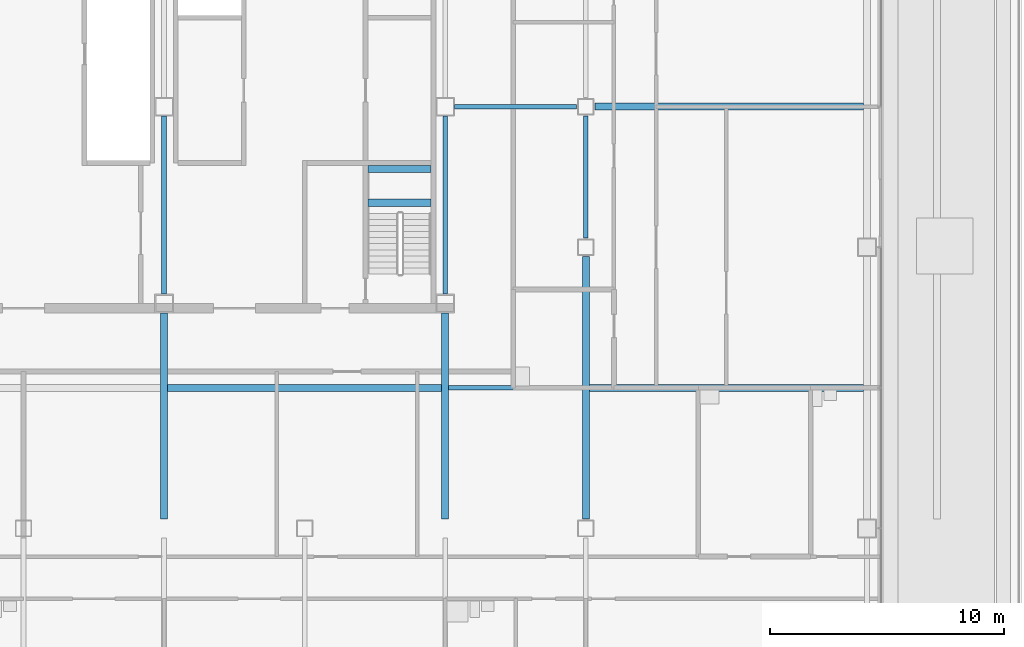
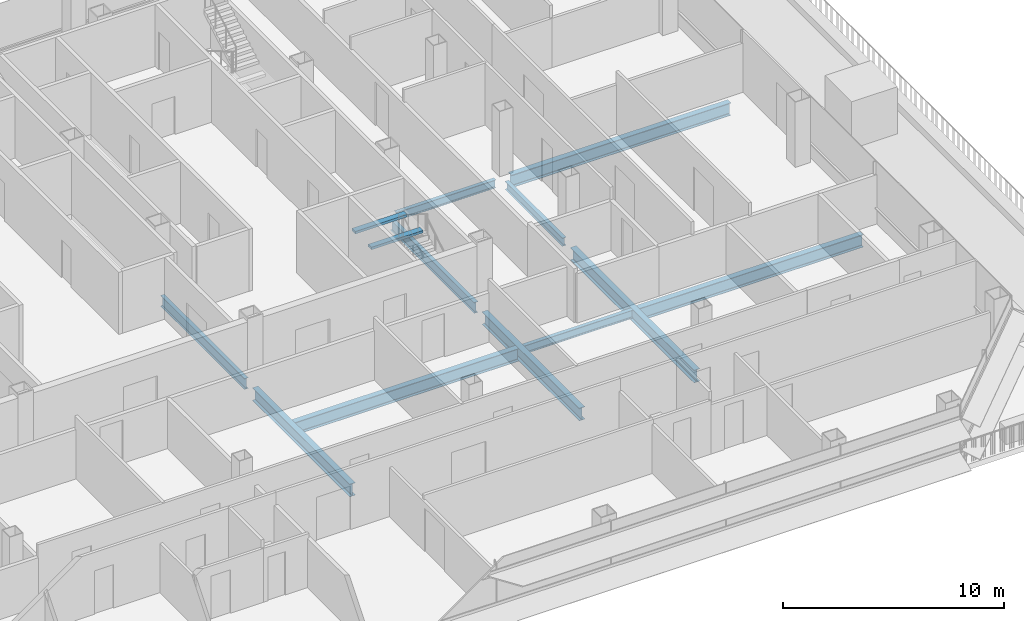
# One storey, part 9 of 28: 13 beams.
"""IFC4 building model written with IfcOpenShell, lengths in metres."""

from ifc_helpers import new_model, si_unit, direction, frame, origin, origin_2d, place, context, subcontext, project, spatial, rectangle, i_section, extrude, material, material_profile, profile_set, type_object, element, save


model = new_model("IFC4")

# Units and contexts
model_context = context("Model", 3, precision=1e-05, world=origin(), true_north=direction((0.0, 1.0)))
body_context = subcontext(model_context, "Body", "Model", "MODEL_VIEW")
ifc_project = project(units=[si_unit("LENGTHUNIT", "METRE"), si_unit("AREAUNIT", "SQUARE_METRE"), si_unit("VOLUMEUNIT", "CUBIC_METRE"), si_unit("PLANEANGLEUNIT", "RADIAN"), si_unit("MASSUNIT", "GRAM", prefix="KILO")], contexts=[model_context])

# Site, building, storey
site_placement = place(None, origin())
site = spatial("IfcSite", under=ifc_project, at=site_placement, CompositionType="ELEMENT")
building_placement = place(site_placement, origin())
building = spatial("IfcBuilding", under=site, at=building_placement, Name="Sorahane Residences", CompositionType="ELEMENT")
storey_placement = place(building_placement, frame((0.0, 0.0, 96.199951171875)))
storey = spatial("IfcBuildingStorey", under=building, at=storey_placement, Name="L20", CompositionType="ELEMENT", Elevation=96.199951171875)

# Beams
ifc_material_1 = material(Name="Concrete C40", Category="concrete")
ifc_material_profile_1 = material_profile(ifc_material_1, rectangle(XDim=0.300048828125, YDim=0.139892578125, at=origin_2d()), Name="300x140")
ifc_profile_set_1 = profile_set([ifc_material_profile_1], Name="Concrete C40")
beam_type_1 = type_object("IfcBeamType", Name="RC landing beam 300 x 140 Concrete C40", PredefinedType="BEAM", material=ifc_profile_set_1)
for number, where, z_axis, x_axis, name in (
    (1, (38.699951171875, 25.89990234375, 1.530029296875), (1.0, 0.0, 0.0), (0.0, 1.0, 0.0), "Landing beam"),
    (2, (38.699951171875, 27.35009765625, 1.530029296875), (1.0, 0.0, 0.0), (0.0, 1.0, 0.0), "Landing beam"),
):
    element("IfcBeam", number, at=place(storey_placement, frame(where, z_axis=z_axis, x_axis=x_axis)), inside=storey, type_object=beam_type_1, Name=name, PredefinedType="BEAM", context=body_context, shape_type="SweptSolid", body=[
        extrude(rectangle(XDim=0.300048828125, YDim=0.139892578125, at=origin_2d()), origin(), (0.0, 0.0, 1.0), 2.699951171875),
    ])
ifc_material_2 = material(Name="Steel Q355B", Category="steel")
ifc_material_profile_2 = material_profile(ifc_material_2, i_section(OverallWidth=0.199951171875, OverallDepth=0.449951171875, WebThickness=0.009033203125, FlangeThickness=0.013916015625, FilletRadius=0.02001953125, at=origin_2d()), Name="HN 450x200x9x14")
ifc_profile_set_2 = profile_set([ifc_material_profile_2], Name="Steel Q355B")
beam_type_2 = type_object("IfcBeamType", Name="Steel floor beam HN 450x200x9x14 Q355B", PredefinedType="BEAM", material=ifc_profile_set_2)
beam_1_placement = place(storey_placement, frame((48.0, 24.39990234375, -0.52490234375), z_axis=(0.0, 1.0, 0.0), x_axis=(-1.0, 0.0, 0.0)))
element("IfcBeam", 3, at=beam_1_placement, inside=storey, type_object=beam_type_2, Name="Beam L20 047", PredefinedType="BEAM", context=body_context, shape_type="SweptSolid", body=[
    extrude(i_section(OverallWidth=0.199951171875, OverallDepth=0.449951171875, WebThickness=0.009033203125, FlangeThickness=0.013916015625, FilletRadius=0.02001953125, at=origin_2d()), origin(), (0.0, 0.0, 1.0), 5.2001953125),
])
beam_2_placement = place(storey_placement, frame((42.14990234375, 18.0, -0.52490234375), z_axis=(1.0, 0.0, 0.0), x_axis=(0.0, 1.0, 0.0)))
element("IfcBeam", 4, at=beam_2_placement, inside=storey, type_object=beam_type_2, Name="Beam L20 062", PredefinedType="BEAM", context=body_context, shape_type="SweptSolid", body=[
    extrude(i_section(OverallWidth=0.199951171875, OverallDepth=0.449951171875, WebThickness=0.009033203125, FlangeThickness=0.013916015625, FilletRadius=0.02001953125, at=origin_2d()), origin(), (0.0, 0.0, 1.0), 5.7001953125),
])
beam_3_placement = place(storey_placement, frame((42.39990234375, 30.0, -0.52490234375), z_axis=(1.0, 0.0, 0.0), x_axis=(0.0, 1.0, 0.0)))
element("IfcBeam", 5, at=beam_3_placement, inside=storey, type_object=beam_type_2, Name="Beam L20 066", PredefinedType="BEAM", context=body_context, shape_type="SweptSolid", body=[
    extrude(i_section(OverallWidth=0.199951171875, OverallDepth=0.449951171875, WebThickness=0.009033203125, FlangeThickness=0.013916015625, FilletRadius=0.02001953125, at=origin_2d()), origin(), (0.0, 0.0, 1.0), 5.2001953125),
])
ifc_material_3 = material(Name="Steel Q355B", Category="steel")
ifc_material_profile_3 = material_profile(ifc_material_3, i_section(OverallWidth=0.199951171875, OverallDepth=0.60009765625, WebThickness=0.010986328125, FlangeThickness=0.01708984375, FilletRadius=0.02392578125, at=origin_2d()), Name="HN 600x200x11x17")
ifc_profile_set_3 = profile_set([ifc_material_profile_3], Name="Steel Q355B")
beam_type_3 = type_object("IfcBeamType", Name="Steel floor beam HN 600x200x11x17 Q355B", PredefinedType="BEAM", material=ifc_profile_set_3)
for number, where, z_axis, x_axis, name in (
    (6, (30.0, 22.0, -0.599853515625), (0.0, 1.0, 0.0), (-1.0, 0.0, 0.0), "Beam L20 030"),
    (7, (42.0, 22.0, -0.599853515625), (0.0, 1.0, 0.0), (-1.0, 0.0, 0.0), "Beam L20 040"),
):
    element("IfcBeam", number, at=place(storey_placement, frame(where, z_axis=z_axis, x_axis=x_axis)), inside=storey, type_object=beam_type_3, Name=name, PredefinedType="BEAM", context=body_context, shape_type="SweptSolid", body=[
        extrude(i_section(OverallWidth=0.199951171875, OverallDepth=0.60009765625, WebThickness=0.010986328125, FlangeThickness=0.01708984375, FilletRadius=0.02392578125, at=origin_2d()), origin(), (0.0, 0.0, 1.0), 7.60009765625),
    ])
ifc_material_4 = material(Name="Steel Q355B", Category="steel")
ifc_material_profile_4 = material_profile(ifc_material_4, i_section(OverallWidth=0.300048828125, OverallDepth=0.699951171875, WebThickness=0.012939453125, FlangeThickness=0.02392578125, FilletRadius=0.028076171875, at=origin_2d()), Name="HN 700x300x13x24")
ifc_profile_set_4 = profile_set([ifc_material_profile_4], Name="Steel Q355B")
beam_type_4 = type_object("IfcBeamType", Name="Steel floor beam HN 700x300x13x24 Q355B", PredefinedType="BEAM", material=ifc_profile_set_4)
for number, where, z_axis, x_axis, name in (
    (8, (30.0, 12.39990234375, -0.64990234375), (0.0, 1.0, 0.0), (-1.0, 0.0, 0.0), "Beam L20 029"),
    (9, (42.0, 12.39990234375, -0.64990234375), (0.0, 1.0, 0.0), (-1.0, 0.0, 0.0), "Beam L20 039"),
):
    element("IfcBeam", number, at=place(storey_placement, frame(where, z_axis=z_axis, x_axis=x_axis)), inside=storey, type_object=beam_type_4, Name=name, PredefinedType="BEAM", context=body_context, shape_type="SweptSolid", body=[
        extrude(i_section(OverallWidth=0.300048828125, OverallDepth=0.699951171875, WebThickness=0.012939453125, FlangeThickness=0.02392578125, FilletRadius=0.028076171875, at=origin_2d()), origin(), (0.0, 0.0, 1.0), 8.800048828125),
    ])
beam_4_placement = place(storey_placement, frame((48.0, 12.39990234375, -0.64990234375), z_axis=(0.0, 1.0, 0.0), x_axis=(-1.0, 0.0, 0.0)))
element("IfcBeam", 10, at=beam_4_placement, inside=storey, type_object=beam_type_4, Name="Beam L20 046", PredefinedType="BEAM", context=body_context, shape_type="SweptSolid", body=[
    extrude(i_section(OverallWidth=0.300048828125, OverallDepth=0.699951171875, WebThickness=0.012939453125, FlangeThickness=0.02392578125, FilletRadius=0.028076171875, at=origin_2d()), origin(), (0.0, 0.0, 1.0), 11.2001953125),
])
for number, where, z_axis, x_axis, name in (
    (11, (30.14990234375, 18.0, -0.64990234375), (1.0, 0.0, 0.0), (0.0, 1.0, 0.0), "Beam L20 061"),
    (12, (48.14990234375, 18.0, -0.64990234375), (1.0, 0.0, 0.0), (0.0, 1.0, 0.0), "Beam L20 063"),
):
    element("IfcBeam", number, at=place(storey_placement, frame(where, z_axis=z_axis, x_axis=x_axis)), inside=storey, type_object=beam_type_4, Name=name, PredefinedType="BEAM", context=body_context, shape_type="SweptSolid", body=[
        extrude(i_section(OverallWidth=0.300048828125, OverallDepth=0.699951171875, WebThickness=0.012939453125, FlangeThickness=0.02392578125, FilletRadius=0.028076171875, at=origin_2d()), origin(), (0.0, 0.0, 1.0), 11.7001953125),
    ])
beam_5_placement = place(storey_placement, frame((48.39990234375, 30.0, -0.64990234375), z_axis=(1.0, 0.0, 0.0), x_axis=(0.0, 1.0, 0.0)))
element("IfcBeam", 13, at=beam_5_placement, inside=storey, type_object=beam_type_4, Name="Beam L20 067", PredefinedType="BEAM", context=body_context, shape_type="SweptSolid", body=[
    extrude(i_section(OverallWidth=0.300048828125, OverallDepth=0.699951171875, WebThickness=0.012939453125, FlangeThickness=0.02392578125, FilletRadius=0.028076171875, at=origin_2d()), origin(), (0.0, 0.0, 1.0), 11.4501953125),
])

save(model, "model.ifc")
